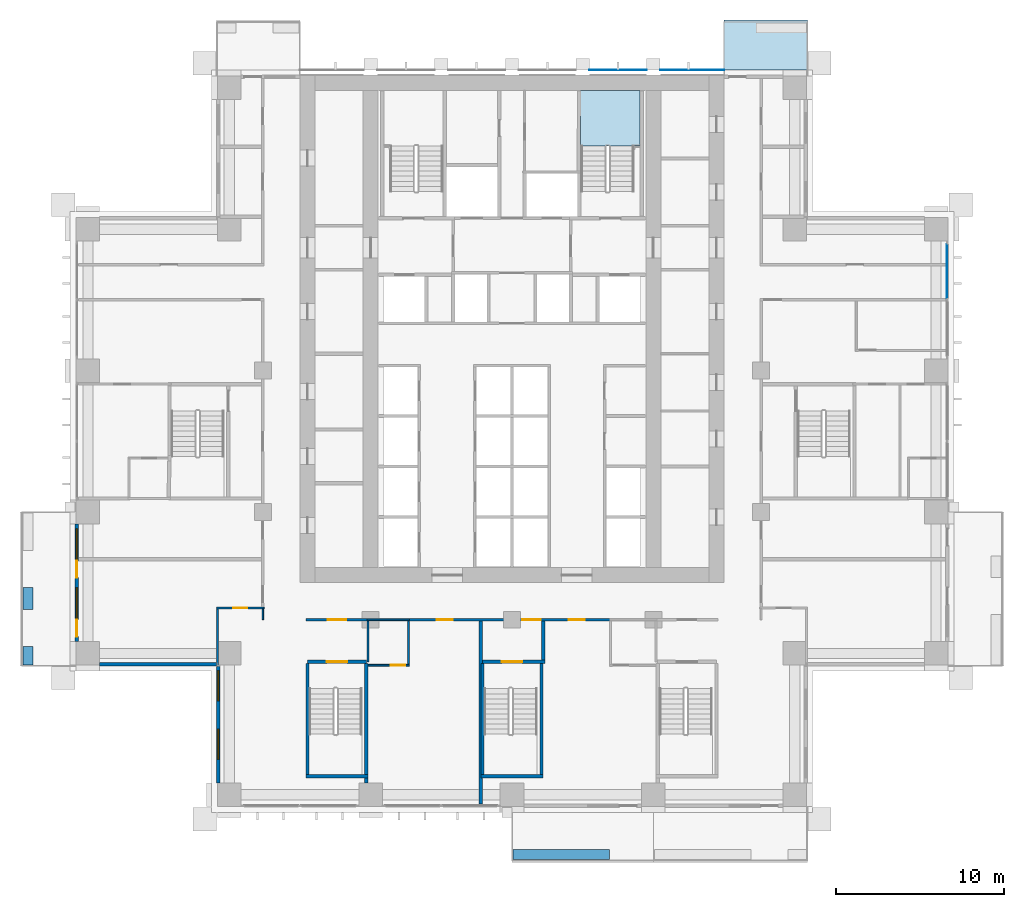
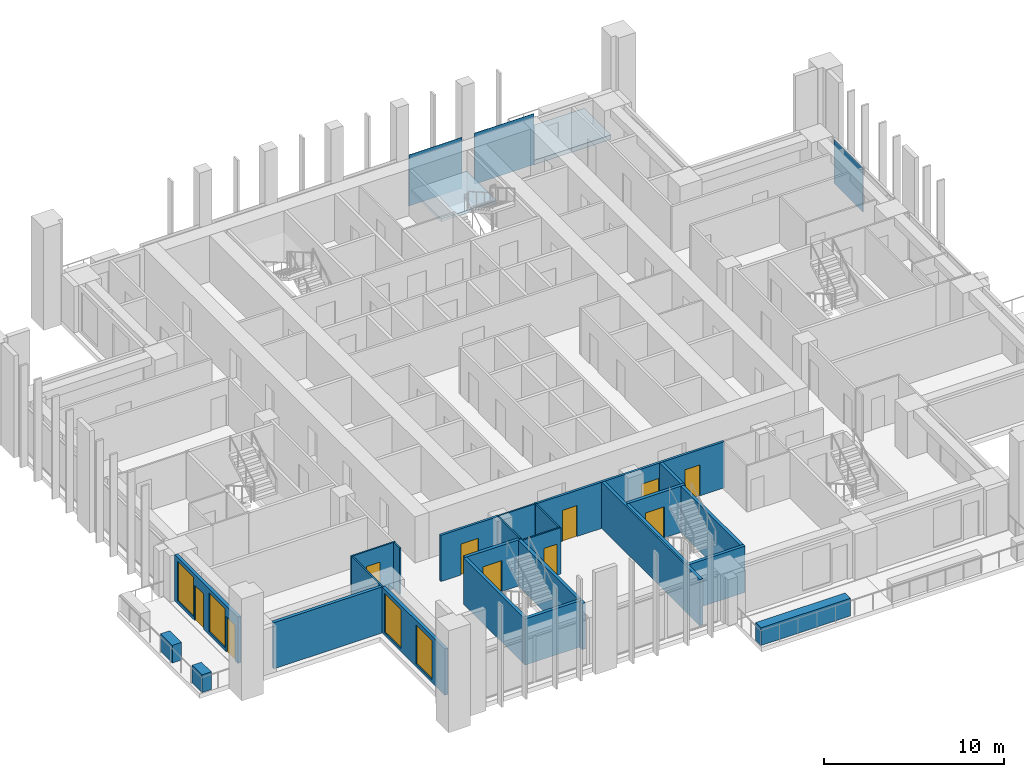
# One storey, part 8 of 19: 25 walls, 10 doors, 4 windows, 3 plates, 2 slabs, 14 openings, 2 elements without a shape of their own.
"""IFC4 building model written with IfcOpenShell, lengths in metres."""

from ifc_helpers import new_model, si_unit, direction, frame, frame_2d, origin, origin_2d, place, context, subcontext, project, spatial, polyline, rectangle, outline, extrude, material, layer, layer_set, type_object, element, fill, aggregate, save


model = new_model("IFC4")

# Units and contexts
model_context = context("Model", 3, precision=1e-05, world=origin(), true_north=direction((0.0, 1.0)))
body_context = subcontext(model_context, "Body", "Model", "MODEL_VIEW")
ifc_project = project(units=[si_unit("LENGTHUNIT", "METRE"), si_unit("AREAUNIT", "SQUARE_METRE"), si_unit("VOLUMEUNIT", "CUBIC_METRE"), si_unit("PLANEANGLEUNIT", "RADIAN"), si_unit("MASSUNIT", "GRAM", prefix="KILO")], contexts=[model_context])

# Site, building, storey
site_placement = place(None, origin())
site = spatial("IfcSite", under=ifc_project, at=site_placement, CompositionType="ELEMENT")
building_placement = place(site_placement, origin())
building = spatial("IfcBuilding", under=site, at=building_placement, Name="Vermilion Ogive Tower", CompositionType="ELEMENT")
storey_placement = place(building_placement, frame((0.0, 0.0, 62.10009765625)))
storey = spatial("IfcBuildingStorey", under=building, at=storey_placement, Name="L14", CompositionType="ELEMENT", Elevation=62.10009765625)

# Slab
ifc_material_1 = material(Name="Concrete B40", Category="concrete")
ifc_layer_1 = layer(ifc_material_1, 0.300048828125)
ifc_layer_set_1 = layer_set([ifc_layer_1], Name="Balcony slab")
slab_type_1 = type_object("IfcSlabType", Name="Balcony slab", PredefinedType="FLOOR", material=ifc_layer_set_1)
slab_1_placement = place(storey_placement, frame((0.0, 0.0, -0.340087890625)))
element("IfcSlab", 1, at=slab_1_placement, inside=storey, type_object=slab_type_1, Name="Balcony slab N101", PredefinedType="FLOOR", context=body_context, shape_type="SweptSolid", body=[
    extrude(outline(polyline([(17.550048828125, 25.030029296875), (12.60009765625, 25.030029296875), (12.60009765625, 22.050048828125), (17.550048828125, 22.050048828125), (17.550048828125, 25.030029296875)])), origin(), (0.0, 0.0, 1.0), 0.300048828125),
])

# Curtain wall, plate
ifc_material_2 = material(Name="Low-iron laminated glazing in aluminium frame", Category="aluminium")
curtain_wall_type = type_object("IfcCurtainWallType", Name="Curtain wall CW7", PredefinedType="NOTDEFINED", material=ifc_material_2)
curtain_wall_placement = place(storey_placement, origin())
curtain_wall = element("IfcCurtainWall", 2, at=curtain_wall_placement, inside=storey, type_object=curtain_wall_type, Name="Glazed skin E3", PredefinedType="NOTDEFINED")
ifc_material_3 = material(Name="Low-iron laminated glazing in aluminium frame", Category="aluminium")
ifc_layer_2 = layer(ifc_material_3, 0.031982421875)
ifc_layer_set_2 = layer_set([ifc_layer_2], Name="CW7 glazing panel 32")
plate_type_1 = type_object("IfcPlateType", Name="CW7 glazing panel 32", PredefinedType="CURTAIN_PANEL", material=ifc_layer_set_2)
plate_1_placement = place(storey_placement, frame((25.85009765625, 10.10498046875, 0.06005859375), z_axis=(0.0, 0.0, 1.0), x_axis=(0.0, 1.0, 0.0)))
plate_1 = element("IfcPlate", 3, at=plate_1_placement, type_object=plate_type_1, Name="CW7-E3 panel 2.1", PredefinedType="CURTAIN_PANEL", context=body_context, shape_type="SweptSolid", body=[
    extrude(rectangle(XDim=3.22998046875, YDim=0.031982421875, at=origin_2d()), origin(), (0.0, 0.0, 1.0), 3.010009765625),
])
aggregate(curtain_wall, [plate_1])

# Plates
ifc_material_4 = material(Name="Low-iron laminated glazing in aluminium frame", Category="aluminium")
ifc_layer_3 = layer(ifc_material_4, 0.031982421875)
ifc_layer_set_3 = layer_set([ifc_layer_3], Name="Glazed rainscreen sheet 32")
plate_type_2 = type_object("IfcPlateType", Name="Glazed rainscreen sheet 32", PredefinedType="SHEET", material=ifc_layer_set_3)
plate_2_placement = place(storey_placement, frame((6.300048828125, 22.06591796875, -0.3203125), z_axis=(0.0, 0.0, 1.0), x_axis=(1.0, 0.0, 0.0)))
element("IfcPlate", 4, at=plate_2_placement, inside=storey, type_object=plate_type_2, Name="Glazed rainscreen sheet N5", PredefinedType="SHEET", context=body_context, shape_type="SweptSolid", body=[
    extrude(rectangle(XDim=3.39990234375, YDim=0.031982421875, at=origin_2d()), origin(), (0.0, 0.0, 1.0), 3.449951171875),
])
plate_3_placement = place(storey_placement, frame((10.7099609375, 22.06591796875, -0.3203125), z_axis=(0.0, 0.0, 1.0), x_axis=(1.0, 0.0, 0.0)))
element("IfcPlate", 5, at=plate_3_placement, inside=storey, type_object=plate_type_2, Name="Glazed rainscreen sheet N6", PredefinedType="SHEET", context=body_context, shape_type="SweptSolid", body=[
    extrude(rectangle(XDim=3.820068359375, YDim=0.031982421875, at=origin_2d()), origin(), (0.0, 0.0, 1.0), 3.449951171875),
])

# Stair, slab
ifc_material_5 = material(Name="Concrete B40", Category="concrete")
stair_type = type_object("IfcStairType", Name="Exit stair 1500", PredefinedType="HALF_TURN_STAIR", material=ifc_material_5)
stair_placement = place(storey_placement, origin())
stair = element("IfcStair", 6, at=stair_placement, inside=storey, type_object=stair_type, Name="L14 Exit Stair ST2", PredefinedType="HALF_TURN_STAIR")
ifc_material_6 = material(Name="Concrete B40", Category="concrete")
ifc_layer_4 = layer(ifc_material_6, 0.199951171875)
ifc_layer_set_4 = layer_set([ifc_layer_4], Name="Stair landing 200")
slab_type_2 = type_object("IfcSlabType", Name="Stair landing 200", PredefinedType="LANDING", material=ifc_layer_set_4)
slab_2_placement = place(storey_placement, frame((0.0, 0.0, 1.52490234375)))
slab_2 = element("IfcSlab", 7, at=slab_2_placement, type_object=slab_type_2, Name="ST2 landing 1", PredefinedType="LANDING", context=body_context, shape_type="SweptSolid", body=[
    extrude(outline(polyline([(5.60009765625, 17.550048828125), (5.75, 17.550048828125), (5.75, 17.548095703125), (7.25, 17.548095703125), (7.25, 17.550048828125), (7.60009765625, 17.550048828125), (7.60009765625, 20.85009765625), (4.074951171875, 20.85009765625), (4.074951171875, 17.550048828125), (4.10009765625, 17.550048828125), (4.10009765625, 17.548095703125), (5.60009765625, 17.548095703125), (5.60009765625, 17.550048828125)])), origin(), (0.0, 0.0, 1.0), 0.199951171875),
])
aggregate(stair, [slab_2])

# Wall, opening, door
ifc_material_7 = material(Name="Gypsum board partition on steel studs", Category="steel")
ifc_layer_5 = layer(ifc_material_7, 0.10009765625)
ifc_layer_set_5 = layer_set([ifc_layer_5], Name="Partition 100 bath")
wall_type_1 = type_object("IfcWallType", Name="Partition 100 bath", PredefinedType="PARTITIONING", material=ifc_layer_set_5)
wall_1_placement = place(storey_placement, frame((-8.550048828125, -13.300048828125, 0.0), z_axis=(0.0, 0.0, 1.0), x_axis=(1.0, 0.0, 0.0)))
wall_1 = element("IfcWall", 8, at=wall_1_placement, inside=storey, type_object=wall_type_1, Name="L14-W-W002", PredefinedType="PARTITIONING", context=body_context, shape_type="SweptSolid", body=[
    extrude(rectangle(XDim=2.449951171875, YDim=0.10009765625, at=frame_2d((1.22509765625, 0.0))), origin(), (0.0, 0.0, 1.0), 3.1298828125),
])
opening_1_placement = place(wall_1_placement, frame((1.35009765625, 0.0, 0.0)))
opening_1 = element("IfcOpeningElement", 9, at=opening_1_placement, cuts=wall_1, Name="Opening D1G5009", PredefinedType="OPENING", context=body_context, shape_type="SweptSolid", body=[
    extrude(rectangle(XDim=0.85009765625, YDim=2.10009765625, at=frame_2d((0.425048828125, 1.050048828125))), frame((0.0, 0.06005859375, 0.0), z_axis=(0.0, -1.0, 0.0), x_axis=(1.0, 0.0, 0.0)), (0.0, 0.0, 1.0), 0.1201171875),
])
ifc_material_8 = material(Name="Timber door leaf", Category="wood")
door_type_1 = type_object("IfcDoorType", Name="Bath door 850 x 2100 FD30", OperationType="SINGLE_SWING_LEFT", PredefinedType="DOOR", material=ifc_material_8)
door_1_placement = place(opening_1_placement, origin())
door_1 = element("IfcDoor", 10, at=door_1_placement, inside=storey, type_object=door_type_1, Name="L14-D-D009", OperationType="SINGLE_SWING_LEFT", OverallHeight=2.10009765625, OverallWidth=0.85009765625, PredefinedType="DOOR", context=body_context, shape_type="SweptSolid", body=[
    extrude(rectangle(XDim=0.85009765625, YDim=2.10009765625, at=frame_2d((0.425048828125, 1.050048828125))), frame((0.0, 0.02490234375, 0.0), z_axis=(0.0, -1.0, 0.0), x_axis=(1.0, 0.0, 0.0)), (0.0, 0.0, 1.0), 0.050048828125),
])
fill(opening_1, door_1)

# Wall
wall_2_placement = place(storey_placement, frame((-8.60009765625, -10.60009765625, 0.0), z_axis=(0.0, 0.0, 1.0), x_axis=(1.0, 0.0, 0.0)))
element("IfcWall", 11, at=wall_2_placement, inside=storey, type_object=wall_type_1, Name="L14-W-W008", PredefinedType="PARTITIONING", context=body_context, shape_type="SweptSolid", body=[
    extrude(rectangle(XDim=2.5, YDim=0.10009765625, at=frame_2d((1.25, 0.0))), origin(), (0.0, 0.0, 1.0), 3.1298828125),
])

# Wall, opening, door
wall_3_placement = place(storey_placement, frame((-17.550048828125, -9.89990234375, 0.0), z_axis=(0.0, 0.0, 1.0), x_axis=(1.0, 0.0, 0.0)))
wall_3 = element("IfcWall", 12, at=wall_3_placement, inside=storey, type_object=wall_type_1, Name="L14-W-W012", PredefinedType="PARTITIONING", context=body_context, shape_type="SweptSolid", body=[
    extrude(rectangle(XDim=2.824951171875, YDim=0.10009765625, at=frame_2d((1.41259765625, 0.0))), origin(), (0.0, 0.0, 1.0), 3.1298828125),
])
opening_2_placement = place(wall_3_placement, frame((0.97509765625, 0.0, 0.0)))
opening_2 = element("IfcOpeningElement", 13, at=opening_2_placement, cuts=wall_3, Name="Opening D1G5002", PredefinedType="OPENING", context=body_context, shape_type="SweptSolid", body=[
    extrude(rectangle(XDim=0.85009765625, YDim=2.10009765625, at=frame_2d((0.425048828125, 1.050048828125))), frame((0.0, 0.06005859375, 0.0), z_axis=(0.0, -1.0, 0.0), x_axis=(1.0, 0.0, 0.0)), (0.0, 0.0, 1.0), 0.1201171875),
])
door_2_placement = place(opening_2_placement, origin())
door_2 = element("IfcDoor", 14, at=door_2_placement, inside=storey, type_object=door_type_1, Name="L14-D-D002", OperationType="SINGLE_SWING_RIGHT", OverallHeight=2.10009765625, OverallWidth=0.85009765625, PredefinedType="DOOR", context=body_context, shape_type="SweptSolid", body=[
    extrude(rectangle(XDim=0.85009765625, YDim=2.10009765625, at=frame_2d((0.425048828125, 1.050048828125))), frame((0.0, 0.02490234375, 0.0), z_axis=(0.0, -1.0, 0.0), x_axis=(1.0, 0.0, 0.0)), (0.0, 0.0, 1.0), 0.050048828125),
])
fill(opening_2, door_2)

# Walls
wall_4_placement = place(storey_placement, frame((-17.5, -13.35009765625, 0.0), z_axis=(0.0, 0.0, 1.0), x_axis=(0.0, 1.0, 0.0)))
element("IfcWall", 15, at=wall_4_placement, inside=storey, type_object=wall_type_1, Name="L14-W-W039", PredefinedType="PARTITIONING", context=body_context, shape_type="SweptSolid", body=[
    extrude(rectangle(XDim=3.400146484375, YDim=0.10009765625, at=frame_2d((1.7001953125, 0.0))), origin(), (0.0, 0.0, 1.0), 3.1298828125),
])
wall_5_placement = place(storey_placement, frame((-14.800048828125, -10.60009765625, 0.0), z_axis=(0.0, 0.0, 1.0), x_axis=(0.0, 1.0, 0.0)))
element("IfcWall", 16, at=wall_5_placement, inside=storey, type_object=wall_type_1, Name="L14-W-W041", PredefinedType="PARTITIONING", context=body_context, shape_type="SweptSolid", body=[
    extrude(rectangle(XDim=0.650146484375, YDim=0.10009765625, at=frame_2d((0.3251953125, 0.0))), origin(), (0.0, 0.0, 1.0), 3.1298828125),
])
wall_6_placement = place(storey_placement, frame((-8.550048828125, -13.10009765625, 0.0), z_axis=(0.0, 0.0, 1.0), x_axis=(0.0, 1.0, 0.0)))
element("IfcWall", 17, at=wall_6_placement, inside=storey, type_object=wall_type_1, Name="L14-W-W044", PredefinedType="PARTITIONING", context=body_context, shape_type="SweptSolid", body=[
    extrude(rectangle(XDim=2.425048828125, YDim=0.10009765625, at=frame_2d((1.21240234375, 0.0))), origin(), (0.0, 0.0, 1.0), 3.1298828125),
])
wall_7_placement = place(storey_placement, frame((-6.14990234375, -13.25, 0.0), z_axis=(0.0, 0.0, 1.0), x_axis=(0.0, 1.0, 0.0)))
element("IfcWall", 18, at=wall_7_placement, inside=storey, type_object=wall_type_1, Name="L14-W-W045", PredefinedType="PARTITIONING", context=body_context, shape_type="SweptSolid", body=[
    extrude(rectangle(XDim=2.574951171875, YDim=0.10009765625, at=frame_2d((1.28759765625, 0.0))), origin(), (0.0, 0.0, 1.0), 3.1298828125),
])

# Wall, opening, door
ifc_material_9 = material(Name="Gypsum board partition on steel studs", Category="steel")
ifc_layer_6 = layer(ifc_material_9, 0.14990234375)
ifc_layer_set_6 = layer_set([ifc_layer_6], Name="Partition 150 corridor")
wall_type_2 = type_object("IfcWallType", Name="Partition 150 corridor", PredefinedType="PARTITIONING", material=ifc_layer_set_6)
wall_8_placement = place(storey_placement, frame((-12.25, -10.60009765625, 0.0), z_axis=(0.0, 0.0, 1.0), x_axis=(1.0, 0.0, 0.0)))
wall_8 = element("IfcWall", 19, at=wall_8_placement, inside=storey, type_object=wall_type_2, Name="L14-W-W007", PredefinedType="PARTITIONING", context=body_context, shape_type="SweptSolid", body=[
    extrude(rectangle(XDim=3.75, YDim=0.14990234375, at=frame_2d((1.875, 0.0))), origin(), (0.0, 0.0, 1.0), 3.1298828125),
])
opening_3_placement = place(wall_8_placement, frame((1.300048828125, 0.0, 0.0)))
opening_3 = element("IfcOpeningElement", 20, at=opening_3_placement, cuts=wall_8, Name="Opening D1G5021", PredefinedType="OPENING", context=body_context, shape_type="SweptSolid", body=[
    extrude(rectangle(XDim=1.10009765625, YDim=2.10009765625, at=frame_2d((0.550048828125, 1.050048828125))), frame((0.0, 0.0849609375, 0.0), z_axis=(0.0, -1.0, 0.0), x_axis=(1.0, 0.0, 0.0)), (0.0, 0.0, 1.0), 0.169921875),
])
ifc_material_10 = material(Name="Timber door leaf", Category="wood")
door_type_2 = type_object("IfcDoorType", Name="Stair door 1100 x 2100 FD60S", OperationType="SINGLE_SWING_LEFT", PredefinedType="DOOR", material=ifc_material_10)
door_3_placement = place(opening_3_placement, origin())
door_3 = element("IfcDoor", 21, at=door_3_placement, inside=storey, type_object=door_type_2, Name="L14-D-D021", OperationType="SINGLE_SWING_RIGHT", OverallHeight=2.10009765625, OverallWidth=1.10009765625, PredefinedType="DOOR", context=body_context, shape_type="SweptSolid", body=[
    extrude(rectangle(XDim=1.10009765625, YDim=2.10009765625, at=frame_2d((0.550048828125, 1.050048828125))), frame((0.0, 0.02490234375, 0.0), z_axis=(0.0, -1.0, 0.0), x_axis=(1.0, 0.0, 0.0)), (0.0, 0.0, 1.0), 0.050048828125),
])
fill(opening_3, door_3)

# Wall, openings, doors
wall_9_placement = place(storey_placement, frame((-6.199951171875, -10.60009765625, 0.0), z_axis=(0.0, 0.0, 1.0), x_axis=(1.0, 0.0, 0.0)))
wall_9 = element("IfcWall", 22, at=wall_9_placement, inside=storey, type_object=wall_type_2, Name="L14-W-W009", PredefinedType="PARTITIONING", context=body_context, shape_type="SweptSolid", body=[
    extrude(rectangle(XDim=12.099853515625, YDim=0.14990234375, at=frame_2d((6.0498046875, 0.0))), origin(), (0.0, 0.0, 1.0), 3.1298828125),
])
opening_4_placement = place(wall_9_placement, frame((1.724853515625, 0.0, 0.0)))
opening_4 = element("IfcOpeningElement", 23, at=opening_4_placement, cuts=wall_9, Name="Opening D1G5008", PredefinedType="OPENING", context=body_context, shape_type="SweptSolid", body=[
    extrude(rectangle(XDim=0.949951171875, YDim=2.10009765625, at=frame_2d((0.47509765625, 1.050048828125))), frame((0.0, 0.0849609375, 0.0), z_axis=(0.0, -1.0, 0.0), x_axis=(1.0, 0.0, 0.0)), (0.0, 0.0, 1.0), 0.169921875),
])
opening_5_placement = place(wall_9_placement, frame((9.574951171875, 0.0, 0.0)))
opening_5 = element("IfcOpeningElement", 24, at=opening_5_placement, cuts=wall_9, Name="Opening D1G5010", PredefinedType="OPENING", context=body_context, shape_type="SweptSolid", body=[
    extrude(rectangle(XDim=0.949951171875, YDim=2.10009765625, at=frame_2d((0.47509765625, 1.050048828125))), frame((0.0, 0.0849609375, 0.0), z_axis=(0.0, -1.0, 0.0), x_axis=(1.0, 0.0, 0.0)), (0.0, 0.0, 1.0), 0.169921875),
])
opening_6_placement = place(wall_9_placement, frame((6.800048828125, 0.0, 0.0)))
opening_6 = element("IfcOpeningElement", 25, at=opening_6_placement, cuts=wall_9, Name="Opening D1G5023", PredefinedType="OPENING", context=body_context, shape_type="SweptSolid", body=[
    extrude(rectangle(XDim=1.10009765625, YDim=2.10009765625, at=frame_2d((0.550048828125, 1.050048828125))), frame((0.0, 0.0849609375, 0.0), z_axis=(0.0, -1.0, 0.0), x_axis=(1.0, 0.0, 0.0)), (0.0, 0.0, 1.0), 0.169921875),
])
door_4_placement = place(opening_6_placement, origin())
door_4 = element("IfcDoor", 26, at=door_4_placement, inside=storey, type_object=door_type_2, Name="L14-D-D023", OperationType="SINGLE_SWING_RIGHT", OverallHeight=2.10009765625, OverallWidth=1.10009765625, PredefinedType="DOOR", context=body_context, shape_type="SweptSolid", body=[
    extrude(rectangle(XDim=1.10009765625, YDim=2.10009765625, at=frame_2d((0.550048828125, 1.050048828125))), frame((0.0, 0.02490234375, 0.0), z_axis=(0.0, -1.0, 0.0), x_axis=(1.0, 0.0, 0.0)), (0.0, 0.0, 1.0), 0.050048828125),
])
fill(opening_6, door_4)
ifc_material_11 = material(Name="Timber door leaf", Category="wood")
door_type_3 = type_object("IfcDoorType", Name="Unit door 950 x 2100 FD30S", OperationType="SINGLE_SWING_LEFT", PredefinedType="DOOR", material=ifc_material_11)
door_5_placement = place(opening_4_placement, origin())
door_5 = element("IfcDoor", 27, at=door_5_placement, inside=storey, type_object=door_type_3, Name="L14-D-D008", OperationType="SINGLE_SWING_LEFT", OverallHeight=2.10009765625, OverallWidth=0.949951171875, PredefinedType="DOOR", context=body_context, shape_type="SweptSolid", body=[
    extrude(rectangle(XDim=0.949951171875, YDim=2.10009765625, at=frame_2d((0.47509765625, 1.050048828125))), frame((0.0, 0.02490234375, 0.0), z_axis=(0.0, -1.0, 0.0), x_axis=(1.0, 0.0, 0.0)), (0.0, 0.0, 1.0), 0.050048828125),
])
fill(opening_4, door_5)
door_6_placement = place(opening_5_placement, origin())
door_6 = element("IfcDoor", 28, at=door_6_placement, inside=storey, type_object=door_type_3, Name="L14-D-D010", OperationType="SINGLE_SWING_RIGHT", OverallHeight=2.10009765625, OverallWidth=0.949951171875, PredefinedType="DOOR", context=body_context, shape_type="SweptSolid", body=[
    extrude(rectangle(XDim=0.949951171875, YDim=2.10009765625, at=frame_2d((0.47509765625, 1.050048828125))), frame((0.0, 0.02490234375, 0.0), z_axis=(0.0, -1.0, 0.0), x_axis=(1.0, 0.0, 0.0)), (0.0, 0.0, 1.0), 0.050048828125),
])
fill(opening_5, door_6)

# Wall
ifc_material_12 = material(Name="Concrete B60", Category="concrete")
ifc_layer_7 = layer(ifc_material_12, 0.199951171875)
ifc_layer_set_7 = layer_set([ifc_layer_7], Name="Stair shaft wall 200 Concrete B60")
wall_type_3 = type_object("IfcWallType", Name="Stair shaft wall 200 Concrete B60", PredefinedType="SOLIDWALL", material=ifc_layer_set_7)
wall_10_placement = place(storey_placement, frame((-1.847900390625, -19.89990234375, 0.0), z_axis=(0.0, 0.0, 1.0), x_axis=(1.0, 0.0, 0.0)))
element("IfcWall", 29, at=wall_10_placement, inside=storey, type_object=wall_type_3, Name="L14-W-W001", PredefinedType="SOLIDWALL", context=body_context, shape_type="SweptSolid", body=[
    extrude(rectangle(XDim=3.69580078125, YDim=0.199951171875, at=frame_2d((1.847900390625, 0.0))), origin(), (0.0, 0.0, 1.0), 3.1298828125),
])

# Wall, opening, door
wall_11_placement = place(storey_placement, frame((-12.14990234375, -13.10009765625, 0.0), z_axis=(0.0, 0.0, 1.0), x_axis=(1.0, 0.0, 0.0)))
wall_11 = element("IfcWall", 30, at=wall_11_placement, inside=storey, type_object=wall_type_3, Name="L14-W-W004", PredefinedType="SOLIDWALL", context=body_context, shape_type="SweptSolid", body=[
    extrude(rectangle(XDim=3.5, YDim=0.199951171875, at=frame_2d((1.75, 0.0))), origin(), (0.0, 0.0, 1.0), 3.1298828125),
])
opening_7_placement = place(wall_11_placement, frame((1.14990234375, 0.0, 0.0)))
opening_7 = element("IfcOpeningElement", 31, at=opening_7_placement, cuts=wall_11, Name="Opening D1G5022", PredefinedType="OPENING", context=body_context, shape_type="SweptSolid", body=[
    extrude(rectangle(XDim=1.199951171875, YDim=2.10009765625, at=frame_2d((0.60009765625, 1.050048828125))), frame((0.0, 0.10986328125, 0.0), z_axis=(0.0, -1.0, 0.0), x_axis=(1.0, 0.0, 0.0)), (0.0, 0.0, 1.0), 0.219970703125),
])
ifc_material_13 = material(Name="Timber door leaf", Category="wood")
door_type_4 = type_object("IfcDoorType", Name="Stair door 1200 x 2100 FD60S", OperationType="SINGLE_SWING_LEFT", PredefinedType="DOOR", material=ifc_material_13)
door_7_placement = place(opening_7_placement, origin())
door_7 = element("IfcDoor", 32, at=door_7_placement, inside=storey, type_object=door_type_4, Name="L14-D-D022", OperationType="SINGLE_SWING_RIGHT", OverallHeight=2.10009765625, OverallWidth=1.199951171875, PredefinedType="DOOR", context=body_context, shape_type="SweptSolid", body=[
    extrude(rectangle(XDim=1.199951171875, YDim=2.10009765625, at=frame_2d((0.60009765625, 1.050048828125))), frame((0.0, 0.02490234375, 0.0), z_axis=(0.0, -1.0, 0.0), x_axis=(1.0, 0.0, 0.0)), (0.0, 0.0, 1.0), 0.050048828125),
])
fill(opening_7, door_7)

wall_12_placement = place(storey_placement, frame((-1.748046875, -13.10009765625, 0.0), z_axis=(0.0, 0.0, 1.0), x_axis=(1.0, 0.0, 0.0)))
wall_12 = element("IfcWall", 33, at=wall_12_placement, inside=storey, type_object=wall_type_3, Name="L14-W-W005", PredefinedType="SOLIDWALL", context=body_context, shape_type="SweptSolid", body=[
    extrude(rectangle(XDim=3.696044921875, YDim=0.199951171875, at=frame_2d((1.84814453125, 0.0))), origin(), (0.0, 0.0, 1.0), 3.1298828125),
])
opening_8_placement = place(wall_12_placement, frame((1.14794921875, 0.0, 0.0)))
opening_8 = element("IfcOpeningElement", 34, at=opening_8_placement, cuts=wall_12, Name="Opening D1G5024", PredefinedType="OPENING", context=body_context, shape_type="SweptSolid", body=[
    extrude(rectangle(XDim=1.199951171875, YDim=2.10009765625, at=frame_2d((0.60009765625, 1.050048828125))), frame((0.0, 0.10986328125, 0.0), z_axis=(0.0, -1.0, 0.0), x_axis=(1.0, 0.0, 0.0)), (0.0, 0.0, 1.0), 0.219970703125),
])
door_8_placement = place(opening_8_placement, origin())
door_8 = element("IfcDoor", 35, at=door_8_placement, inside=storey, type_object=door_type_4, Name="L14-D-D024", OperationType="SINGLE_SWING_RIGHT", OverallHeight=2.10009765625, OverallWidth=1.199951171875, PredefinedType="DOOR", context=body_context, shape_type="SweptSolid", body=[
    extrude(rectangle(XDim=1.199951171875, YDim=2.10009765625, at=frame_2d((0.60009765625, 1.050048828125))), frame((0.0, 0.02490234375, 0.0), z_axis=(0.0, -1.0, 0.0), x_axis=(1.0, 0.0, 0.0)), (0.0, 0.0, 1.0), 0.050048828125),
])
fill(opening_8, door_8)

# Walls
for number, where, z_axis, x_axis, name in (
    (36, (-1.75, -19.798095703125, 0.0), (0.0, 0.0, 1.0), (0.0, 1.0, 0.0), "L14-W-W047"),
    (37, (1.75, -19.798095703125, 0.0), (0.0, 0.0, 1.0), (0.0, 1.0, 0.0), "L14-W-W048"),
):
    element("IfcWall", number, at=place(storey_placement, frame(where, z_axis=z_axis, x_axis=x_axis)), inside=storey, type_object=wall_type_3, Name=name, PredefinedType="SOLIDWALL", context=body_context, shape_type="SweptSolid", body=[
        extrude(rectangle(XDim=6.59619140625, YDim=0.199951171875, at=frame_2d((3.298095703125, 0.0))), origin(), (0.0, 0.0, 1.0), 3.1298828125),
    ])
wall_13_placement = place(storey_placement, frame((1.85009765625, -12.998046875, 0.0), z_axis=(0.0, 0.0, 1.0), x_axis=(0.0, 1.0, 0.0)))
element("IfcWall", 38, at=wall_13_placement, inside=storey, type_object=wall_type_3, Name="L14-W-W049", PredefinedType="SOLIDWALL", context=body_context, shape_type="SweptSolid", body=[
    extrude(rectangle(XDim=2.322998046875, YDim=0.199951171875, at=frame_2d((1.16162109375, 0.0))), origin(), (0.0, 0.0, 1.0), 3.1298828125),
])
wall_14_placement = place(storey_placement, frame((-12.25, -19.89990234375, 0.0), z_axis=(0.0, 0.0, 1.0), x_axis=(1.0, 0.0, 0.0)))
element("IfcWall", 39, at=wall_14_placement, inside=storey, type_object=wall_type_3, Name="L14-SW-ST3-S1", PredefinedType="SOLIDWALL", context=body_context, shape_type="SweptSolid", body=[
    extrude(rectangle(XDim=3.699951171875, YDim=0.199951171875, at=frame_2d((1.85009765625, 0.0))), origin(), (0.0, 0.0, 1.0), 3.1298828125),
])
wall_15_placement = place(storey_placement, frame((-12.14990234375, -19.800048828125, 0.0), z_axis=(0.0, 0.0, 1.0), x_axis=(0.0, 1.0, 0.0)))
element("IfcWall", 40, at=wall_15_placement, inside=storey, type_object=wall_type_3, Name="L14-SW-ST3-W1", PredefinedType="SOLIDWALL", context=body_context, shape_type="SweptSolid", body=[
    extrude(rectangle(XDim=6.60009765625, YDim=0.199951171875, at=frame_2d((3.300048828125, 0.0))), origin(), (0.0, 0.0, 1.0), 3.1298828125),
])
wall_16_placement = place(storey_placement, frame((-8.64990234375, -20.300048828125, 0.0), z_axis=(0.0, 0.0, 1.0), x_axis=(0.0, 1.0, 0.0)))
element("IfcWall", 41, at=wall_16_placement, inside=storey, type_object=wall_type_3, Name="L14-SW-ST3-E1", PredefinedType="SOLIDWALL", context=body_context, shape_type="SweptSolid", body=[
    extrude(rectangle(XDim=7.10009765625, YDim=0.199951171875, at=frame_2d((3.550048828125, 0.0))), origin(), (0.0, 0.0, 1.0), 3.1298828125),
])
wall_17_placement = place(storey_placement, frame((-1.85009765625, -21.550048828125, 0.0), z_axis=(0.0, 0.0, 1.0), x_axis=(0.0, 1.0, 0.0)))
element("IfcWall", 42, at=wall_17_placement, inside=storey, type_object=wall_type_3, Name="L14-W-W046-A", PredefinedType="SOLIDWALL", context=body_context, shape_type="SweptSolid", body=[
    extrude(rectangle(XDim=10.875, YDim=0.199951171875, at=frame_2d((5.4375, 0.0))), origin(), (0.0, 0.0, 1.0), 3.1298828125),
])
ifc_material_14 = material(Name="Concrete B40", Category="concrete")
ifc_layer_8 = layer(ifc_material_14, 0.60009765625)
ifc_layer_set_8 = layer_set([ifc_layer_8], Name="Structural planter")
wall_type_4 = type_object("IfcWallType", Name="Structural planter", PredefinedType="USERDEFINED", material=ifc_layer_set_8)
wall_18_placement = place(storey_placement, frame((0.06005859375, -24.550048828125, -0.0400390625), z_axis=(0.0, 0.0, 1.0), x_axis=(1.0, 0.0, 0.0)))
element("IfcWall", 43, at=wall_18_placement, inside=storey, type_object=wall_type_4, Name="Planter S03A1", ObjectType="PLANTER", PredefinedType="USERDEFINED", context=body_context, shape_type="SweptSolid", body=[
    extrude(rectangle(XDim=5.739990234375, YDim=0.60009765625, at=frame_2d((2.8701171875, 0.0))), origin(), (0.0, 0.0, 1.0), 1.199951171875),
])
wall_19_placement = place(storey_placement, frame((-28.75, -8.699951171875, -0.0400390625), z_axis=(0.0, 0.0, 1.0), x_axis=(0.0, -1.0, 0.0)))
element("IfcWall", 44, at=wall_19_placement, inside=storey, type_object=wall_type_4, Name="Planter W03A2", ObjectType="PLANTER", PredefinedType="USERDEFINED", context=body_context, shape_type="SweptSolid", body=[
    extrude(rectangle(XDim=1.300048828125, YDim=0.60009765625, at=frame_2d((0.64990234375, 0.0))), origin(), (0.0, 0.0, 1.0), 1.199951171875),
])
wall_20_placement = place(storey_placement, frame((-28.75, -12.199951171875, -0.0400390625), z_axis=(0.0, 0.0, 1.0), x_axis=(0.0, -1.0, 0.0)))
element("IfcWall", 45, at=wall_20_placement, inside=storey, type_object=wall_type_4, Name="Planter W03A3", ObjectType="PLANTER", PredefinedType="USERDEFINED", context=body_context, shape_type="SweptSolid", body=[
    extrude(rectangle(XDim=1.090087890625, YDim=0.60009765625, at=frame_2d((0.544921875, 0.0))), origin(), (0.0, 0.0, 1.0), 1.199951171875),
])

# Wall, openings, doors, windows
ifc_material_15 = material(Name="Aluminium window wall framing", Category="aluminium")
ifc_layer_9 = layer(ifc_material_15, 0.199951171875)
ifc_layer_set_9 = layer_set([ifc_layer_9], Name="Window wall")
wall_type_5 = type_object("IfcWallType", Name="Window wall", PredefinedType="STANDARD", material=ifc_layer_set_9)
wall_21_placement = place(storey_placement, frame((-25.85009765625, -4.89990234375, 0.0), z_axis=(0.0, 0.0, 1.0), x_axis=(0.0, -1.0, 0.0)))
wall_21 = element("IfcWall", 46, at=wall_21_placement, inside=storey, type_object=wall_type_5, Name="Window wall W3", PredefinedType="STANDARD", context=body_context, shape_type="SweptSolid", body=[
    extrude(rectangle(XDim=7.0, YDim=0.199951171875, at=frame_2d((3.5, 0.0))), origin(), (0.0, 0.0, 1.0), 3.1298828125),
])
opening_9_placement = place(wall_21_placement, frame((3.800048828125, 0.0, 0.199951171875)))
opening_9 = element("IfcOpeningElement", 47, at=opening_9_placement, cuts=wall_21, Name="Opening W1-W97", PredefinedType="OPENING", context=body_context, shape_type="SweptSolid", body=[
    extrude(rectangle(XDim=1.800048828125, YDim=2.64990234375, at=frame_2d((0.89990234375, 1.324951171875))), frame((0.0, 0.10986328125, 0.0), z_axis=(0.0, -1.0, 0.0), x_axis=(1.0, 0.0, 0.0)), (0.0, 0.0, 1.0), 0.219970703125),
])
opening_10_placement = place(wall_21_placement, frame((5.699951171875, 0.0, 0.0)))
opening_10 = element("IfcOpeningElement", 48, at=opening_10_placement, cuts=wall_21, Name="Opening D1-W97", PredefinedType="OPENING", context=body_context, shape_type="SweptSolid", body=[
    extrude(rectangle(XDim=1.0, YDim=2.39990234375, at=frame_2d((0.5, 1.199951171875))), frame((0.0, 0.10986328125, 0.0), z_axis=(0.0, -1.0, 0.0), x_axis=(1.0, 0.0, 0.0)), (0.0, 0.0, 1.0), 0.219970703125),
])
opening_11_placement = place(wall_21_placement, frame((0.300048828125, 0.0, 0.199951171875)))
opening_11 = element("IfcOpeningElement", 49, at=opening_11_placement, cuts=wall_21, Name="Opening W1-W98", PredefinedType="OPENING", context=body_context, shape_type="SweptSolid", body=[
    extrude(rectangle(XDim=1.800048828125, YDim=2.64990234375, at=frame_2d((0.89990234375, 1.324951171875))), frame((0.0, 0.10986328125, 0.0), z_axis=(0.0, -1.0, 0.0), x_axis=(1.0, 0.0, 0.0)), (0.0, 0.0, 1.0), 0.219970703125),
])
opening_12_placement = place(wall_21_placement, frame((2.199951171875, 0.0, 0.0)))
opening_12 = element("IfcOpeningElement", 50, at=opening_12_placement, cuts=wall_21, Name="Opening D1-W98", PredefinedType="OPENING", context=body_context, shape_type="SweptSolid", body=[
    extrude(rectangle(XDim=1.0, YDim=2.39990234375, at=frame_2d((0.5, 1.199951171875))), frame((0.0, 0.10986328125, 0.0), z_axis=(0.0, -1.0, 0.0), x_axis=(1.0, 0.0, 0.0)), (0.0, 0.0, 1.0), 0.219970703125),
])
ifc_material_16 = material(Name="Aluminium framed glazed door", Category="aluminium")
door_type_5 = type_object("IfcDoorType", Name="Balcony door D1", OperationType="SINGLE_SWING_LEFT", PredefinedType="DOOR", material=ifc_material_16)
door_9_placement = place(opening_10_placement, origin())
door_9 = element("IfcDoor", 51, at=door_9_placement, inside=storey, type_object=door_type_5, Name="Balcony door W97", OperationType="SINGLE_SWING_LEFT", OverallHeight=2.39990234375, OverallWidth=1.0, PredefinedType="DOOR", context=body_context, shape_type="SweptSolid", body=[
    extrude(rectangle(XDim=1.0, YDim=2.39990234375, at=frame_2d((0.5, 1.199951171875))), frame((0.0, 0.02490234375, 0.0), z_axis=(0.0, -1.0, 0.0), x_axis=(1.0, 0.0, 0.0)), (0.0, 0.0, 1.0), 0.050048828125),
])
fill(opening_10, door_9)
door_10_placement = place(opening_12_placement, origin())
door_10 = element("IfcDoor", 52, at=door_10_placement, inside=storey, type_object=door_type_5, Name="Balcony door W98", OperationType="SINGLE_SWING_LEFT", OverallHeight=2.39990234375, OverallWidth=1.0, PredefinedType="DOOR", context=body_context, shape_type="SweptSolid", body=[
    extrude(rectangle(XDim=1.0, YDim=2.39990234375, at=frame_2d((0.5, 1.199951171875))), frame((0.0, 0.02490234375, 0.0), z_axis=(0.0, -1.0, 0.0), x_axis=(1.0, 0.0, 0.0)), (0.0, 0.0, 1.0), 0.050048828125),
])
fill(opening_12, door_10)
ifc_material_17 = material(Name="Aluminium framed double glazing", Category="aluminium")
window_type = type_object("IfcWindowType", Name="Guest window W1", PartitioningType="SINGLE_PANEL", PredefinedType="WINDOW", material=ifc_material_17)
window_1_placement = place(opening_9_placement, origin())
window_1 = element("IfcWindow", 53, at=window_1_placement, inside=storey, type_object=window_type, Name="Window W97", OverallHeight=2.64990234375, OverallWidth=1.800048828125, PartitioningType="SINGLE_PANEL", PredefinedType="WINDOW", context=body_context, shape_type="SweptSolid", body=[
    extrude(rectangle(XDim=1.800048828125, YDim=2.64990234375, at=frame_2d((0.89990234375, 1.324951171875))), frame((0.0, 0.030029296875, 0.0), z_axis=(0.0, -1.0, 0.0), x_axis=(1.0, 0.0, 0.0)), (0.0, 0.0, 1.0), 0.06005859375),
])
fill(opening_9, window_1)
window_2_placement = place(opening_11_placement, origin())
window_2 = element("IfcWindow", 54, at=window_2_placement, inside=storey, type_object=window_type, Name="Window W98", OverallHeight=2.64990234375, OverallWidth=1.800048828125, PartitioningType="SINGLE_PANEL", PredefinedType="WINDOW", context=body_context, shape_type="SweptSolid", body=[
    extrude(rectangle(XDim=1.800048828125, YDim=2.64990234375, at=frame_2d((0.89990234375, 1.324951171875))), frame((0.0, 0.030029296875, 0.0), z_axis=(0.0, -1.0, 0.0), x_axis=(1.0, 0.0, 0.0)), (0.0, 0.0, 1.0), 0.06005859375),
])
fill(opening_11, window_2)

# Wall
wall_22_placement = place(storey_placement, frame((-24.5, -13.25, 0.0), z_axis=(0.0, 0.0, 1.0), x_axis=(1.0, 0.0, 0.0)))
element("IfcWall", 55, at=wall_22_placement, inside=storey, type_object=wall_type_5, Name="Window wall X71", PredefinedType="STANDARD", context=body_context, shape_type="SweptSolid", body=[
    extrude(rectangle(XDim=6.949951171875, YDim=0.199951171875, at=frame_2d((3.47509765625, 0.0))), origin(), (0.0, 0.0, 1.0), 3.1298828125),
])

# Wall, openings, windows
wall_23_placement = place(storey_placement, frame((-17.449951171875, -13.35009765625, 0.0), z_axis=(0.0, 0.0, 1.0), x_axis=(0.0, -1.0, 0.0)))
wall_23 = element("IfcWall", 56, at=wall_23_placement, inside=storey, type_object=wall_type_5, Name="Window wall X81", PredefinedType="STANDARD", context=body_context, shape_type="SweptSolid", body=[
    extrude(rectangle(XDim=6.949951171875, YDim=0.199951171875, at=frame_2d((3.47509765625, 0.0))), origin(), (0.0, 0.0, 1.0), 3.1298828125),
])
opening_13_placement = place(wall_23_placement, frame((3.75, 0.0, 0.199951171875)))
opening_13 = element("IfcOpeningElement", 57, at=opening_13_placement, cuts=wall_23, Name="Opening W1-X895", PredefinedType="OPENING", context=body_context, shape_type="SweptSolid", body=[
    extrude(rectangle(XDim=1.800048828125, YDim=2.64990234375, at=frame_2d((0.89990234375, 1.324951171875))), frame((0.0, 0.10986328125, 0.0), z_axis=(0.0, -1.0, 0.0), x_axis=(1.0, 0.0, 0.0)), (0.0, 0.0, 1.0), 0.219970703125),
])
opening_14_placement = place(wall_23_placement, frame((0.27490234375, 0.0, 0.199951171875)))
opening_14 = element("IfcOpeningElement", 58, at=opening_14_placement, cuts=wall_23, Name="Opening W1-X896", PredefinedType="OPENING", context=body_context, shape_type="SweptSolid", body=[
    extrude(rectangle(XDim=1.800048828125, YDim=2.64990234375, at=frame_2d((0.89990234375, 1.324951171875))), frame((0.0, 0.10986328125, 0.0), z_axis=(0.0, -1.0, 0.0), x_axis=(1.0, 0.0, 0.0)), (0.0, 0.0, 1.0), 0.219970703125),
])
window_3_placement = place(opening_13_placement, origin())
window_3 = element("IfcWindow", 59, at=window_3_placement, inside=storey, type_object=window_type, Name="Window X895", OverallHeight=2.64990234375, OverallWidth=1.800048828125, PartitioningType="SINGLE_PANEL", PredefinedType="WINDOW", context=body_context, shape_type="SweptSolid", body=[
    extrude(rectangle(XDim=1.800048828125, YDim=2.64990234375, at=frame_2d((0.89990234375, 1.324951171875))), frame((0.0, 0.030029296875, 0.0), z_axis=(0.0, -1.0, 0.0), x_axis=(1.0, 0.0, 0.0)), (0.0, 0.0, 1.0), 0.06005859375),
])
fill(opening_13, window_3)
window_4_placement = place(opening_14_placement, origin())
window_4 = element("IfcWindow", 60, at=window_4_placement, inside=storey, type_object=window_type, Name="Window X896", OverallHeight=2.64990234375, OverallWidth=1.800048828125, PartitioningType="SINGLE_PANEL", PredefinedType="WINDOW", context=body_context, shape_type="SweptSolid", body=[
    extrude(rectangle(XDim=1.800048828125, YDim=2.64990234375, at=frame_2d((0.89990234375, 1.324951171875))), frame((0.0, 0.030029296875, 0.0), z_axis=(0.0, -1.0, 0.0), x_axis=(1.0, 0.0, 0.0)), (0.0, 0.0, 1.0), 0.06005859375),
])
fill(opening_14, window_4)

save(model, "model.ifc")
